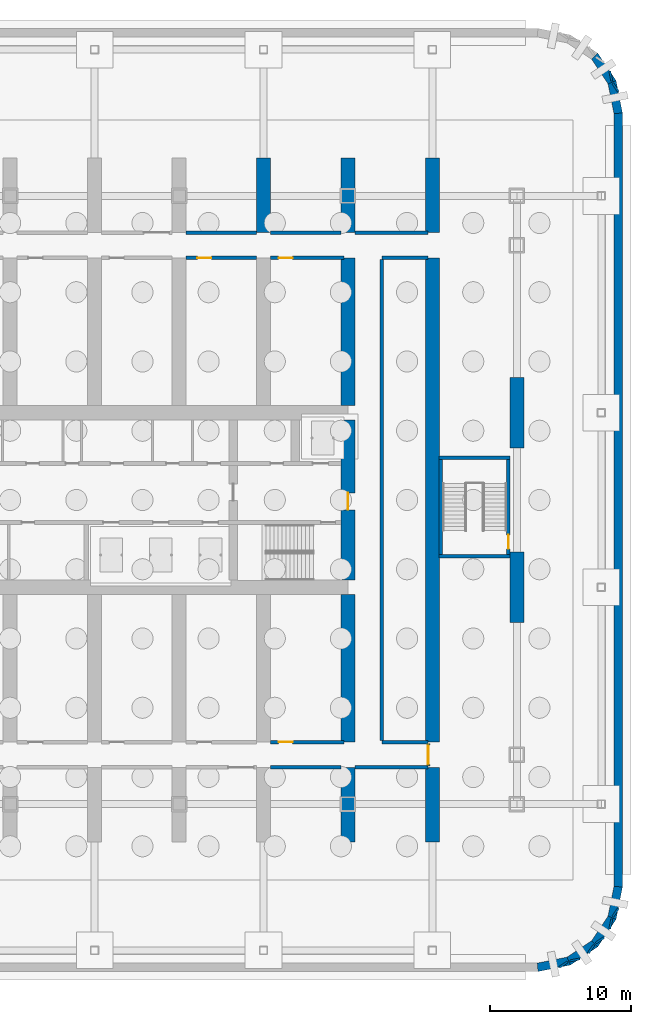
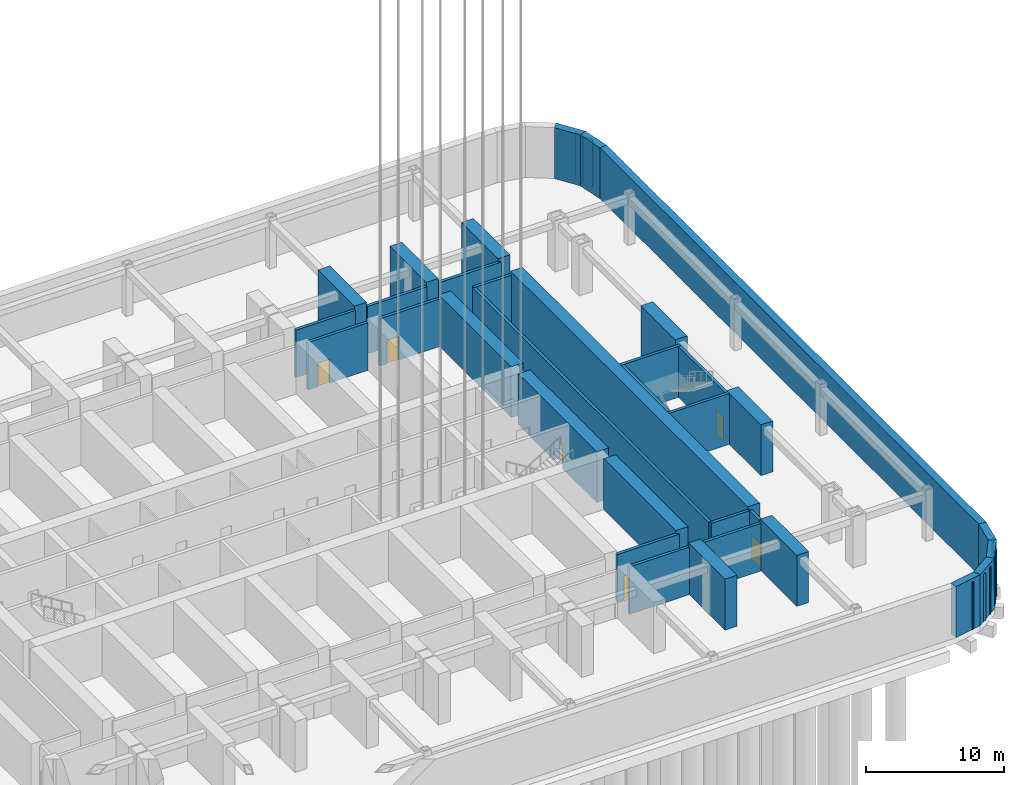
# One storey, part 7 of 28: 42 walls, 6 doors, 6 openings.
"""IFC4 building model written with IfcOpenShell, lengths in metres."""

from ifc_helpers import new_model, si_unit, direction, frame, frame_2d, origin, place, context, subcontext, project, spatial, polyline, rectangle, outline, extrude, material, layer, layer_set, type_object, element, fill, save


model = new_model("IFC4")

# Units and contexts
model_context = context("Model", 3, precision=1e-05, world=origin(), true_north=direction((0.0, 1.0)))
body_context = subcontext(model_context, "Body", "Model", "MODEL_VIEW")
ifc_project = project(units=[si_unit("LENGTHUNIT", "METRE"), si_unit("AREAUNIT", "SQUARE_METRE"), si_unit("VOLUMEUNIT", "CUBIC_METRE"), si_unit("PLANEANGLEUNIT", "RADIAN"), si_unit("MASSUNIT", "GRAM", prefix="KILO")], contexts=[model_context])

# Site, building, storey
site_placement = place(None, origin())
site = spatial("IfcSite", under=ifc_project, at=site_placement, CompositionType="ELEMENT")
building_placement = place(site_placement, origin())
building = spatial("IfcBuilding", under=site, at=building_placement, Name="Orbita Commons", CompositionType="ELEMENT")
storey_placement = place(building_placement, frame((0.0, 0.0, -9.0)))
storey = spatial("IfcBuildingStorey", under=building, at=storey_placement, Name="L-02", CompositionType="ELEMENT", Elevation=-9.0)

# Walls
ifc_material_1 = material(Name="Concrete blockwork", Category="masonry")
ifc_layer_1 = layer(ifc_material_1, 0.25)
ifc_layer_set_1 = layer_set([ifc_layer_1], Name="Concrete blockwork")
wall_type_1 = type_object("IfcWallType", Name="Basement wall 250 blockwork", PredefinedType="SOLIDWALL", material=ifc_layer_set_1)
wall_1_placement = place(storey_placement, frame((60.5, 13.0, 0.0), z_axis=(0.0, 0.0, 1.0), x_axis=(1.0, 0.0, 0.0)))
element("IfcWall", 1, at=wall_1_placement, inside=storey, type_object=wall_type_1, Name="Basement wall 250 blockwork L-02", PredefinedType="SOLIDWALL", context=body_context, shape_type="SweptSolid", body=[
    extrude(rectangle(XDim=5.0, YDim=0.25, at=frame_2d((2.5, 0.0))), origin(), (0.0, 0.0, 1.0), 4.199951171875),
])
wall_2_placement = place(storey_placement, frame((66.5, 13.0, 0.0), z_axis=(0.0, 0.0, 1.0), x_axis=(1.0, 0.0, 0.0)))
element("IfcWall", 2, at=wall_2_placement, inside=storey, type_object=wall_type_1, Name="Basement wall 250 blockwork L-02", PredefinedType="SOLIDWALL", context=body_context, shape_type="SweptSolid", body=[
    extrude(rectangle(XDim=5.199951171875, YDim=0.25, at=frame_2d((2.60009765625, 0.0))), origin(), (0.0, 0.0, 1.0), 4.199951171875),
])
for number, where, z_axis, x_axis, name in (
    (3, (54.5, 51.0, 0.0), (0.0, 0.0, 1.0), (1.0, 0.0, 0.0), "Basement wall 250 blockwork L-02"),
    (4, (60.5, 51.0, 0.0), (0.0, 0.0, 1.0), (1.0, 0.0, 0.0), "Basement wall 250 blockwork L-02"),
):
    element("IfcWall", number, at=place(storey_placement, frame(where, z_axis=z_axis, x_axis=x_axis)), inside=storey, type_object=wall_type_1, Name=name, PredefinedType="SOLIDWALL", context=body_context, shape_type="SweptSolid", body=[
        extrude(rectangle(XDim=5.0, YDim=0.25, at=frame_2d((2.5, 0.0))), origin(), (0.0, 0.0, 1.0), 4.199951171875),
    ])
wall_3_placement = place(storey_placement, frame((66.5, 51.0, 0.0), z_axis=(0.0, 0.0, 1.0), x_axis=(1.0, 0.0, 0.0)))
element("IfcWall", 5, at=wall_3_placement, inside=storey, type_object=wall_type_1, Name="Basement wall 250 blockwork L-02", PredefinedType="SOLIDWALL", context=body_context, shape_type="SweptSolid", body=[
    extrude(rectangle(XDim=5.199951171875, YDim=0.25, at=frame_2d((2.60009765625, 0.0))), origin(), (0.0, 0.0, 1.0), 4.199951171875),
])
for number, where, z_axis, x_axis, name in (
    (6, (68.39990234375, 14.800048828125, 0.0), (0.0, 0.0, 1.0), (1.0, 0.0, 0.0), "Basement wall 250 blockwork L-02"),
    (7, (68.39990234375, 49.199951171875, 0.0), (0.0, 0.0, 1.0), (1.0, 0.0, 0.0), "Basement wall 250 blockwork L-02"),
):
    element("IfcWall", number, at=place(storey_placement, frame(where, z_axis=z_axis, x_axis=x_axis)), inside=storey, type_object=wall_type_1, Name=name, PredefinedType="SOLIDWALL", context=body_context, shape_type="SweptSolid", body=[
        extrude(rectangle(XDim=3.300048828125, YDim=0.25, at=frame_2d((1.64990234375, 0.0))), origin(), (0.0, 0.0, 1.0), 4.199951171875),
    ])
wall_4_placement = place(storey_placement, frame((68.39990234375, 14.89990234375, 0.0), z_axis=(0.0, 0.0, 1.0), x_axis=(0.0, 1.0, 0.0)))
element("IfcWall", 8, at=wall_4_placement, inside=storey, type_object=wall_type_1, Name="Basement wall 250 blockwork L-02", PredefinedType="SOLIDWALL", context=body_context, shape_type="SweptSolid", body=[
    extrude(rectangle(XDim=34.2001953125, YDim=0.25, at=frame_2d((17.10009765625, 0.0))), origin(), (0.0, 0.0, 1.0), 4.199951171875),
])

# Wall, opening, door
wall_5_placement = place(storey_placement, frame((60.5, 14.800048828125, 0.0), z_axis=(0.0, 0.0, 1.0), x_axis=(1.0, 0.0, 0.0)))
wall_5 = element("IfcWall", 9, at=wall_5_placement, inside=storey, type_object=wall_type_1, Name="Basement wall 250 blockwork L-02", PredefinedType="SOLIDWALL", context=body_context, shape_type="SweptSolid", body=[
    extrude(rectangle(XDim=5.199951171875, YDim=0.25, at=frame_2d((2.60009765625, 0.0))), origin(), (0.0, 0.0, 1.0), 4.199951171875),
])
opening_1_placement = place(wall_5_placement, frame((0.574951171875, 0.0, 0.0)))
opening_1 = element("IfcOpeningElement", 10, at=opening_1_placement, cuts=wall_5, Name="Opening D06", PredefinedType="OPENING", context=body_context, shape_type="SweptSolid", body=[
    extrude(rectangle(XDim=1.0, YDim=2.10009765625, at=frame_2d((0.5, 1.050048828125))), frame((0.0, 0.135009765625, 0.0), z_axis=(0.0, -1.0, 0.0), x_axis=(1.0, 0.0, 0.0)), (0.0, 0.0, 1.0), 0.27001953125),
])
ifc_material_2 = material(Name="Steel-faced fire door leaf", Category="steel")
door_type_1 = type_object("IfcDoorType", Name="Corridor door 20 min 1000x2100", OperationType="SINGLE_SWING_LEFT", PredefinedType="DOOR", material=ifc_material_2)
door_1_placement = place(opening_1_placement, origin())
door_1 = element("IfcDoor", 11, at=door_1_placement, inside=storey, type_object=door_type_1, Name="Room door", OperationType="SINGLE_SWING_LEFT", OverallHeight=2.10009765625, OverallWidth=1.0, PredefinedType="DOOR", context=body_context, shape_type="SweptSolid", body=[
    extrude(rectangle(XDim=1.0, YDim=2.10009765625, at=frame_2d((0.5, 1.050048828125))), frame((0.0, 0.02490234375, 0.0), z_axis=(0.0, -1.0, 0.0), x_axis=(1.0, 0.0, 0.0)), (0.0, 0.0, 1.0), 0.050048828125),
])
fill(opening_1, door_1)

wall_6_placement = place(storey_placement, frame((54.5, 49.199951171875, 0.0), z_axis=(0.0, 0.0, 1.0), x_axis=(1.0, 0.0, 0.0)))
wall_6 = element("IfcWall", 12, at=wall_6_placement, inside=storey, type_object=wall_type_1, Name="Basement wall 250 blockwork L-02", PredefinedType="SOLIDWALL", context=body_context, shape_type="SweptSolid", body=[
    extrude(rectangle(XDim=5.0, YDim=0.25, at=frame_2d((2.5, 0.0))), origin(), (0.0, 0.0, 1.0), 4.199951171875),
])
opening_2_placement = place(wall_6_placement, frame((0.800048828125, 0.0, 0.0)))
opening_2 = element("IfcOpeningElement", 13, at=opening_2_placement, cuts=wall_6, Name="Opening D06", PredefinedType="OPENING", context=body_context, shape_type="SweptSolid", body=[
    extrude(rectangle(XDim=1.0, YDim=2.10009765625, at=frame_2d((0.5, 1.050048828125))), frame((0.0, 0.135009765625, 0.0), z_axis=(0.0, -1.0, 0.0), x_axis=(1.0, 0.0, 0.0)), (0.0, 0.0, 1.0), 0.27001953125),
])
door_2_placement = place(opening_2_placement, origin())
door_2 = element("IfcDoor", 14, at=door_2_placement, inside=storey, type_object=door_type_1, Name="Room door", OperationType="SINGLE_SWING_LEFT", OverallHeight=2.10009765625, OverallWidth=1.0, PredefinedType="DOOR", context=body_context, shape_type="SweptSolid", body=[
    extrude(rectangle(XDim=1.0, YDim=2.10009765625, at=frame_2d((0.5, 1.050048828125))), frame((0.0, 0.02490234375, 0.0), z_axis=(0.0, -1.0, 0.0), x_axis=(1.0, 0.0, 0.0)), (0.0, 0.0, 1.0), 0.050048828125),
])
fill(opening_2, door_2)

wall_7_placement = place(storey_placement, frame((60.5, 49.199951171875, 0.0), z_axis=(0.0, 0.0, 1.0), x_axis=(1.0, 0.0, 0.0)))
wall_7 = element("IfcWall", 15, at=wall_7_placement, inside=storey, type_object=wall_type_1, Name="Basement wall 250 blockwork L-02", PredefinedType="SOLIDWALL", context=body_context, shape_type="SweptSolid", body=[
    extrude(rectangle(XDim=5.199951171875, YDim=0.25, at=frame_2d((2.60009765625, 0.0))), origin(), (0.0, 0.0, 1.0), 4.199951171875),
])
opening_3_placement = place(wall_7_placement, frame((0.574951171875, 0.0, 0.0)))
opening_3 = element("IfcOpeningElement", 16, at=opening_3_placement, cuts=wall_7, Name="Opening D06", PredefinedType="OPENING", context=body_context, shape_type="SweptSolid", body=[
    extrude(rectangle(XDim=1.0, YDim=2.10009765625, at=frame_2d((0.5, 1.050048828125))), frame((0.0, 0.135009765625, 0.0), z_axis=(0.0, -1.0, 0.0), x_axis=(1.0, 0.0, 0.0)), (0.0, 0.0, 1.0), 0.27001953125),
])
door_3_placement = place(opening_3_placement, origin())
door_3 = element("IfcDoor", 17, at=door_3_placement, inside=storey, type_object=door_type_1, Name="Room door", OperationType="SINGLE_SWING_LEFT", OverallHeight=2.10009765625, OverallWidth=1.0, PredefinedType="DOOR", context=body_context, shape_type="SweptSolid", body=[
    extrude(rectangle(XDim=1.0, YDim=2.10009765625, at=frame_2d((0.5, 1.050048828125))), frame((0.0, 0.02490234375, 0.0), z_axis=(0.0, -1.0, 0.0), x_axis=(1.0, 0.0, 0.0)), (0.0, 0.0, 1.0), 0.050048828125),
])
fill(opening_3, door_3)

wall_8_placement = place(storey_placement, frame((71.699951171875, 13.10009765625, 0.0), z_axis=(0.0, 0.0, 1.0), x_axis=(0.0, 1.0, 0.0)))
wall_8 = element("IfcWall", 18, at=wall_8_placement, inside=storey, type_object=wall_type_1, Name="Basement wall 250 blockwork L-02", PredefinedType="SOLIDWALL", context=body_context, shape_type="SweptSolid", body=[
    extrude(rectangle(XDim=1.599853515625, YDim=0.25, at=frame_2d((0.7998046875, 0.0))), origin(), (0.0, 0.0, 1.0), 4.199951171875),
])
opening_4_placement = place(wall_8_placement, frame((0.10009765625, 0.0, 0.0)))
opening_4 = element("IfcOpeningElement", 19, at=opening_4_placement, cuts=wall_8, Name="Opening D08", PredefinedType="OPENING", context=body_context, shape_type="SweptSolid", body=[
    extrude(rectangle(XDim=1.39990234375, YDim=2.10009765625, at=frame_2d((0.699951171875, 1.050048828125))), frame((0.0, 0.135009765625, 0.0), z_axis=(0.0, -1.0, 0.0), x_axis=(1.0, 0.0, 0.0)), (0.0, 0.0, 1.0), 0.27001953125),
])
ifc_material_3 = material(Name="Steel-faced fire door leaf", Category="steel")
door_type_2 = type_object("IfcDoorType", Name="Double corridor door 20 min 1400x2100", OperationType="DOUBLE_DOOR_SINGLE_SWING", PredefinedType="DOOR", material=ifc_material_3)
door_4_placement = place(opening_4_placement, origin())
door_4 = element("IfcDoor", 20, at=door_4_placement, inside=storey, type_object=door_type_2, Name="End room doors", OperationType="DOUBLE_DOOR_SINGLE_SWING", OverallHeight=2.10009765625, OverallWidth=1.39990234375, PredefinedType="DOOR", context=body_context, shape_type="SweptSolid", body=[
    extrude(rectangle(XDim=1.39990234375, YDim=2.10009765625, at=frame_2d((0.699951171875, 1.050048828125))), frame((0.0, 0.02490234375, 0.0), z_axis=(0.0, -1.0, 0.0), x_axis=(1.0, 0.0, 0.0)), (0.0, 0.0, 1.0), 0.050048828125),
])
fill(opening_4, door_4)

ifc_material_4 = material(Name="Concrete C50/60", Category="concrete")
ifc_layer_2 = layer(ifc_material_4, 1.0)
ifc_layer_set_2 = layer_set([ifc_layer_2], Name="Concrete C50/60")
wall_type_2 = type_object("IfcWallType", Name="Core wall 1000 C50/60", PredefinedType="SHEAR", material=ifc_layer_set_2)
wall_9_placement = place(storey_placement, frame((66.0, 26.300048828125, 0.0), z_axis=(0.0, 0.0, 1.0), x_axis=(0.0, 1.0, 0.0)))
wall_9 = element("IfcWall", 21, at=wall_9_placement, inside=storey, type_object=wall_type_2, Name="Core end wall east L-02", PredefinedType="SHEAR", context=body_context, shape_type="SweptSolid", body=[
    extrude(rectangle(XDim=11.39990234375, YDim=1.0, at=frame_2d((5.699951171875, 0.0))), origin(), (0.0, 0.0, 1.0), 4.5),
])
opening_5_placement = place(wall_9_placement, frame((5.0, 0.0, 0.0)))
opening_5 = element("IfcOpeningElement", 22, at=opening_5_placement, cuts=wall_9, Name="Opening D01", PredefinedType="OPENING", context=body_context, shape_type="SweptSolid", body=[
    extrude(rectangle(XDim=1.199951171875, YDim=2.10009765625, at=frame_2d((0.60009765625, 1.050048828125))), frame((0.0, 0.510009765625, 0.0), z_axis=(0.0, -1.0, 0.0), x_axis=(1.0, 0.0, 0.0)), (0.0, 0.0, 1.0), 1.02001953125),
])
ifc_material_5 = material(Name="Steel-faced fire door leaf", Category="steel")
door_type_3 = type_object("IfcDoorType", Name="Fire door 90 min 1200x2100", OperationType="SINGLE_SWING_LEFT", PredefinedType="DOOR", material=ifc_material_5)
door_5_placement = place(opening_5_placement, origin())
door_5 = element("IfcDoor", 23, at=door_5_placement, inside=storey, type_object=door_type_3, Name="Firefighting lobby east door", OperationType="SINGLE_SWING_LEFT", OverallHeight=2.10009765625, OverallWidth=1.199951171875, PredefinedType="DOOR", context=body_context, shape_type="SweptSolid", body=[
    extrude(rectangle(XDim=1.199951171875, YDim=2.10009765625, at=frame_2d((0.60009765625, 1.050048828125))), frame((0.0, 0.02490234375, 0.0), z_axis=(0.0, -1.0, 0.0), x_axis=(1.0, 0.0, 0.0)), (0.0, 0.0, 1.0), 0.050048828125),
])
fill(opening_5, door_5)

# Walls
ifc_material_6 = material(Name="Concrete C50/60", Category="concrete")
ifc_layer_3 = layer(ifc_material_6, 1.0)
ifc_layer_set_3 = layer_set([ifc_layer_3], Name="Concrete C50/60")
wall_type_3 = type_object("IfcWallType", Name="Cross wall 1000 C50/60", PredefinedType="SHEAR", material=ifc_layer_set_3)
for number, where, z_axis, x_axis, name in (
    (24, (60.0, 51.0, 0.0), (0.0, 0.0, 1.0), (0.0, 1.0, 0.0), "Cross wall 11 north outer L-02"),
    (25, (66.0, 7.699951171875, 0.0), (0.0, 0.0, 1.0), (0.0, 1.0, 0.0), "Cross wall 12 south outer L-02"),
    (26, (66.0, 51.0, 0.0), (0.0, 0.0, 1.0), (0.0, 1.0, 0.0), "Cross wall 12 north outer L-02"),
):
    element("IfcWall", number, at=place(storey_placement, frame(where, z_axis=z_axis, x_axis=x_axis)), inside=storey, type_object=wall_type_3, Name=name, PredefinedType="SHEAR", context=body_context, shape_type="SweptSolid", body=[
        extrude(rectangle(XDim=5.300048828125, YDim=1.0, at=frame_2d((2.64990234375, 0.0))), origin(), (0.0, 0.0, 1.0), 4.5),
    ])
for number, where, z_axis, x_axis, name in (
    (27, (66.0, 14.800048828125, 0.0), (0.0, 0.0, 1.0), (0.0, 1.0, 0.0), "Cross wall 12 south inner L-02"),
    (28, (66.0, 38.699951171875, 0.0), (0.0, 0.0, 1.0), (0.0, 1.0, 0.0), "Cross wall 12 north inner L-02"),
):
    element("IfcWall", number, at=place(storey_placement, frame(where, z_axis=z_axis, x_axis=x_axis)), inside=storey, type_object=wall_type_3, Name=name, PredefinedType="SHEAR", context=body_context, shape_type="SweptSolid", body=[
        extrude(rectangle(XDim=10.5, YDim=1.0, at=frame_2d((5.25, 0.0))), origin(), (0.0, 0.0, 1.0), 4.5),
    ])
for number, where, z_axis, x_axis, name in (
    (29, (72.0, 7.699951171875, 0.0), (0.0, 0.0, 1.0), (0.0, 1.0, 0.0), "Cross wall 13 south outer L-02"),
    (30, (72.0, 51.0, 0.0), (0.0, 0.0, 1.0), (0.0, 1.0, 0.0), "Cross wall 13 north outer L-02"),
):
    element("IfcWall", number, at=place(storey_placement, frame(where, z_axis=z_axis, x_axis=x_axis)), inside=storey, type_object=wall_type_3, Name=name, PredefinedType="SHEAR", context=body_context, shape_type="SweptSolid", body=[
        extrude(rectangle(XDim=5.300048828125, YDim=1.0, at=frame_2d((2.64990234375, 0.0))), origin(), (0.0, 0.0, 1.0), 4.5),
    ])
wall_10_placement = place(storey_placement, frame((72.0, 14.800048828125, 0.0), z_axis=(0.0, 0.0, 1.0), x_axis=(0.0, 1.0, 0.0)))
element("IfcWall", 31, at=wall_10_placement, inside=storey, type_object=wall_type_3, Name="Cross wall 13 inner L-02", PredefinedType="SHEAR", context=body_context, shape_type="SweptSolid", body=[
    extrude(rectangle(XDim=34.39990234375, YDim=1.0, at=frame_2d((17.199951171875, 0.0))), origin(), (0.0, 0.0, 1.0), 4.5),
])
ifc_material_7 = material(Name="Concrete C50/60", Category="concrete")
ifc_layer_4 = layer(ifc_material_7, 1.0)
ifc_layer_set_4 = layer_set([ifc_layer_4], Name="Concrete C50/60")
wall_type_4 = type_object("IfcWallType", Name="End pier 1000x5000 C50/60", PredefinedType="SHEAR", material=ifc_layer_set_4)
for number, where, z_axis, x_axis, name in (
    (32, (78.0, 23.300048828125, 0.0), (0.0, 0.0, 1.0), (0.0, 1.0, 0.0), "End pier 14/C L-02"),
    (33, (78.0, 35.699951171875, 0.0), (0.0, 0.0, 1.0), (0.0, 1.0, 0.0), "End pier 14/D L-02"),
):
    element("IfcWall", number, at=place(storey_placement, frame(where, z_axis=z_axis, x_axis=x_axis)), inside=storey, type_object=wall_type_4, Name=name, PredefinedType="SHEAR", context=body_context, shape_type="SweptSolid", body=[
        extrude(rectangle(XDim=5.0, YDim=1.0, at=frame_2d((2.5, 0.0))), origin(), (0.0, 0.0, 1.0), 4.5),
    ])
ifc_material_8 = material(Name="Gypsum plasterboard on steel studs", Category="steel")
ifc_layer_5 = layer(ifc_material_8, 0.14990234375)
ifc_layer_set_5 = layer_set([ifc_layer_5], Name="Gypsum plasterboard on steel studs")
wall_type_5 = type_object("IfcWallType", Name="Partition 150 plasterboard", PredefinedType="PARTITIONING", material=ifc_layer_set_5)
wall_11_placement = place(storey_placement, frame((81.777099609375, -0.7412109375, 0.0), z_axis=(0.0, 0.0, 1.0), x_axis=(0.980753692983, 0.195249055569, 0.0)))
element("IfcWall", 34, at=wall_11_placement, inside=storey, type_object=wall_type_5, Name="Partition 150 plasterboard L-02", PredefinedType="PARTITIONING", context=body_context, shape_type="SweptSolid", body=[
    extrude(rectangle(XDim=0.703857421875, YDim=0.14990234375, at=frame_2d((0.35205078125, 0.0))), origin(), (0.0, 0.0, 1.0), 4.199951171875),
])
wall_12_placement = place(storey_placement, frame((81.595947265625, -0.816162109375, 0.0), z_axis=(0.0, 0.0, 1.0), x_axis=(-0.831516441635, -0.555500141576, 0.0)))
element("IfcWall", 35, at=wall_12_placement, inside=storey, type_object=wall_type_5, Name="Partition 150 plasterboard L-02", PredefinedType="PARTITIONING", context=body_context, shape_type="SweptSolid", body=[
    extrude(rectangle(XDim=0.7041015625, YDim=0.14990234375, at=frame_2d((0.35205078125, 0.0))), origin(), (0.0, 0.0, 1.0), 4.199951171875),
])
for number, where, z_axis, x_axis, name in (
    (36, (83.609619140625, 0.529296875, 0.0), (0.0, 0.0, 1.0), (0.831409393806, 0.555660345797, 0.0), "Partition 150 plasterboard L-02"),
    (37, (83.470703125, 0.390380859375, 0.0), (0.0, 0.0, 1.0), (-0.555660345797, -0.831409393806, 0.0), "Partition 150 plasterboard L-02"),
):
    element("IfcWall", number, at=place(storey_placement, frame(where, z_axis=z_axis, x_axis=x_axis)), inside=storey, type_object=wall_type_5, Name=name, PredefinedType="PARTITIONING", context=body_context, shape_type="SweptSolid", body=[
        extrude(rectangle(XDim=0.703857421875, YDim=0.14990234375, at=frame_2d((0.35205078125, 0.0))), origin(), (0.0, 0.0, 1.0), 4.199951171875),
    ])
wall_13_placement = place(storey_placement, frame((84.816162109375, 2.404052734375, 0.0), z_axis=(0.0, 0.0, 1.0), x_axis=(0.555500141576, 0.831516441635, 0.0)))
element("IfcWall", 38, at=wall_13_placement, inside=storey, type_object=wall_type_5, Name="Partition 150 plasterboard L-02", PredefinedType="PARTITIONING", context=body_context, shape_type="SweptSolid", body=[
    extrude(rectangle(XDim=0.7041015625, YDim=0.14990234375, at=frame_2d((0.35205078125, 0.0))), origin(), (0.0, 0.0, 1.0), 4.199951171875),
])
for number, where, z_axis, x_axis, name in (
    (39, (84.7412109375, 2.222900390625, 0.0), (0.0, 0.0, 1.0), (-0.195249055569, -0.980753692983, 0.0), "Partition 150 plasterboard L-02"),
    (40, (84.7412109375, 61.777099609375, 0.0), (0.0, 0.0, 1.0), (-0.195249055569, 0.980753692983, 0.0), "Partition 150 plasterboard L-02"),
):
    element("IfcWall", number, at=place(storey_placement, frame(where, z_axis=z_axis, x_axis=x_axis)), inside=storey, type_object=wall_type_5, Name=name, PredefinedType="PARTITIONING", context=body_context, shape_type="SweptSolid", body=[
        extrude(rectangle(XDim=0.703857421875, YDim=0.14990234375, at=frame_2d((0.35205078125, 0.0))), origin(), (0.0, 0.0, 1.0), 4.199951171875),
    ])
wall_14_placement = place(storey_placement, frame((84.816162109375, 61.595947265625, 0.0), z_axis=(0.0, 0.0, 1.0), x_axis=(0.555500141576, -0.831516441635, 0.0)))
element("IfcWall", 41, at=wall_14_placement, inside=storey, type_object=wall_type_5, Name="Partition 150 plasterboard L-02", PredefinedType="PARTITIONING", context=body_context, shape_type="SweptSolid", body=[
    extrude(rectangle(XDim=0.7041015625, YDim=0.14990234375, at=frame_2d((0.35205078125, 0.0))), origin(), (0.0, 0.0, 1.0), 4.199951171875),
])
ifc_material_9 = material(Name="Concrete C50/60", Category="concrete")
ifc_layer_6 = layer(ifc_material_9, 0.25)
ifc_layer_set_6 = layer_set([ifc_layer_6], Name="Concrete C50/60")
wall_type_6 = type_object("IfcWallType", Name="Podium stair wall 250 RC", PredefinedType="SHEAR", material=ifc_layer_set_6)
wall_15_placement = place(storey_placement, frame((72.47509765625, 28.0, 0.0), z_axis=(0.0, 0.0, 1.0), x_axis=(1.0, 0.0, 0.0)))
element("IfcWall", 42, at=wall_15_placement, inside=storey, type_object=wall_type_6, Name="Podium stair PS2 wall s L-02", PredefinedType="SHEAR", context=body_context, shape_type="SweptSolid", body=[
    extrude(rectangle(XDim=5.0498046875, YDim=0.25, at=frame_2d((2.52490234375, 0.0))), origin(), (0.0, 0.0, 1.0), 4.5),
])

# Wall, opening, door
wall_16_placement = place(storey_placement, frame((77.39990234375, 28.125, 0.0), z_axis=(0.0, 0.0, 1.0), x_axis=(0.0, 1.0, 0.0)))
wall_16 = element("IfcWall", 43, at=wall_16_placement, inside=storey, type_object=wall_type_6, Name="Podium stair PS2 wall e L-02", PredefinedType="SHEAR", context=body_context, shape_type="SweptSolid", body=[
    extrude(rectangle(XDim=6.75, YDim=0.25, at=frame_2d((3.375, 0.0))), origin(), (0.0, 0.0, 1.0), 4.5),
])
opening_6_placement = place(wall_16_placement, frame((0.39990234375, 0.0, 0.0)))
opening_6 = element("IfcOpeningElement", 44, at=opening_6_placement, cuts=wall_16, Name="Opening D02", PredefinedType="OPENING", context=body_context, shape_type="SweptSolid", body=[
    extrude(rectangle(XDim=1.0, YDim=2.10009765625, at=frame_2d((0.5, 1.050048828125))), frame((0.0, 0.135009765625, 0.0), z_axis=(0.0, -1.0, 0.0), x_axis=(1.0, 0.0, 0.0)), (0.0, 0.0, 1.0), 0.27001953125),
])
ifc_material_10 = material(Name="Steel-faced fire door leaf", Category="steel")
door_type_4 = type_object("IfcDoorType", Name="Fire door 90 min 1000x2100", OperationType="SINGLE_SWING_LEFT", PredefinedType="DOOR", material=ifc_material_10)
door_6_placement = place(opening_6_placement, origin())
door_6 = element("IfcDoor", 45, at=door_6_placement, inside=storey, type_object=door_type_4, Name="Podium exit stair PS2 door", OperationType="SINGLE_SWING_LEFT", OverallHeight=2.10009765625, OverallWidth=1.0, PredefinedType="DOOR", context=body_context, shape_type="SweptSolid", body=[
    extrude(rectangle(XDim=1.0, YDim=2.10009765625, at=frame_2d((0.5, 1.050048828125))), frame((0.0, 0.02490234375, 0.0), z_axis=(0.0, -1.0, 0.0), x_axis=(1.0, 0.0, 0.0)), (0.0, 0.0, 1.0), 0.050048828125),
])
fill(opening_6, door_6)

# Walls
wall_17_placement = place(storey_placement, frame((77.52490234375, 35.0, 0.0), z_axis=(0.0, 0.0, 1.0), x_axis=(-1.0, 0.0, 0.0)))
element("IfcWall", 46, at=wall_17_placement, inside=storey, type_object=wall_type_6, Name="Podium stair PS2 wall n L-02", PredefinedType="SHEAR", context=body_context, shape_type="SweptSolid", body=[
    extrude(rectangle(XDim=5.0498046875, YDim=0.25, at=frame_2d((2.52490234375, 0.0))), origin(), (0.0, 0.0, 1.0), 4.5),
])
wall_18_placement = place(storey_placement, frame((72.60009765625, 34.875, 0.0), z_axis=(0.0, 0.0, 1.0), x_axis=(0.0, -1.0, 0.0)))
element("IfcWall", 47, at=wall_18_placement, inside=storey, type_object=wall_type_6, Name="Podium stair PS2 wall w L-02", PredefinedType="SHEAR", context=body_context, shape_type="SweptSolid", body=[
    extrude(rectangle(XDim=6.75, YDim=0.25, at=frame_2d((3.375, 0.0))), origin(), (0.0, 0.0, 1.0), 4.5),
])
ifc_material_11 = material(Name="Concrete C50/60", Category="concrete")
ifc_layer_7 = layer(ifc_material_11, 0.60009765625)
ifc_layer_set_7 = layer_set([ifc_layer_7], Name="Concrete C50/60")
wall_type_7 = type_object("IfcWallType", Name="Retaining wall 600 C50/60", PredefinedType="SOLIDWALL", material=ifc_layer_set_7)
wall_19_placement = place(storey_placement, frame((79.470458984375, -1.199951171875, 0.0), z_axis=(0.0, 0.0, 1.0), x_axis=(0.980792774628, 0.195052642224, 0.0)))
element("IfcWall", 48, at=wall_19_placement, inside=storey, type_object=wall_type_7, Name="Basement retaining wall L-02 1", PredefinedType="SOLIDWALL", context=body_context, shape_type="SweptSolid", body=[
    extrude(outline(polyline([(-0.029541015625, -0.300048828125), (2.311279296875, -0.300048828125), (2.192138671875, 0.300048828125), (0.029541015625, 0.300048828125), (-0.029541015625, -0.300048828125)])), origin(), (0.0, 0.0, 1.0), 4.5),
])
for number, where, z_axis, x_axis, name in (
    (49, (81.678955078125, -0.7607421875, 0.0), (0.0, 0.0, 1.0), (0.831475081676, 0.555562047437, 0.0), "Basement retaining wall L-02 2"),
    (50, (83.5263671875, 0.4736328125, 0.0), (0.0, 0.0, 1.0), (0.555562047437, 0.831475081676, 0.0), "Basement retaining wall L-02 3"),
):
    element("IfcWall", number, at=place(storey_placement, frame(where, z_axis=z_axis, x_axis=x_axis)), inside=storey, type_object=wall_type_7, Name=name, PredefinedType="SOLIDWALL", context=body_context, shape_type="SweptSolid", body=[
        extrude(outline(polyline([(-0.0595703125, -0.300048828125), (2.281494140625, -0.300048828125), (2.162353515625, 0.300048828125), (0.0595703125, 0.300048828125), (-0.0595703125, -0.300048828125)])), origin(), (0.0, 0.0, 1.0), 4.5),
    ])
wall_20_placement = place(storey_placement, frame((84.7607421875, 2.321044921875, 0.0), z_axis=(0.0, 0.0, 1.0), x_axis=(0.195052642224, 0.980792774628, 0.0)))
element("IfcWall", 51, at=wall_20_placement, inside=storey, type_object=wall_type_7, Name="Basement retaining wall L-02 4", PredefinedType="SOLIDWALL", context=body_context, shape_type="SweptSolid", body=[
    extrude(outline(polyline([(-0.0595703125, -0.300048828125), (2.28125, -0.300048828125), (2.22216796875, 0.300048828125), (0.0595703125, 0.300048828125), (-0.0595703125, -0.300048828125)])), origin(), (0.0, 0.0, 1.0), 4.5),
])
wall_21_placement = place(storey_placement, frame((85.199951171875, 4.529541015625, 0.0), z_axis=(0.0, 0.0, 1.0), x_axis=(0.0, 1.0, 0.0)))
element("IfcWall", 52, at=wall_21_placement, inside=storey, type_object=wall_type_7, Name="Basement retaining wall L-02 5", PredefinedType="SOLIDWALL", context=body_context, shape_type="SweptSolid", body=[
    extrude(outline(polyline([(-0.029541015625, -0.300048828125), (54.970458984375, -0.300048828125), (54.911376953125, 0.300048828125), (0.029541015625, 0.300048828125), (-0.029541015625, -0.300048828125)])), origin(), (0.0, 0.0, 1.0), 4.5),
])
wall_22_placement = place(storey_placement, frame((85.199951171875, 59.470458984375, 0.0), z_axis=(0.0, 0.0, 1.0), x_axis=(-0.195052642224, 0.980792774628, 0.0)))
element("IfcWall", 53, at=wall_22_placement, inside=storey, type_object=wall_type_7, Name="Basement retaining wall L-02 6", PredefinedType="SOLIDWALL", context=body_context, shape_type="SweptSolid", body=[
    extrude(outline(polyline([(-0.029541015625, -0.300048828125), (2.311279296875, -0.300048828125), (2.192138671875, 0.300048828125), (0.029541015625, 0.300048828125), (-0.029541015625, -0.300048828125)])), origin(), (0.0, 0.0, 1.0), 4.5),
])
wall_23_placement = place(storey_placement, frame((84.7607421875, 61.678955078125, 0.0), z_axis=(0.0, 0.0, 1.0), x_axis=(-0.555562047437, 0.831475081676, 0.0)))
element("IfcWall", 54, at=wall_23_placement, inside=storey, type_object=wall_type_7, Name="Basement retaining wall L-02 7", PredefinedType="SOLIDWALL", context=body_context, shape_type="SweptSolid", body=[
    extrude(outline(polyline([(-0.0595703125, -0.300048828125), (2.281494140625, -0.300048828125), (2.162353515625, 0.300048828125), (0.0595703125, 0.300048828125), (-0.0595703125, -0.300048828125)])), origin(), (0.0, 0.0, 1.0), 4.5),
])

save(model, "model.ifc")
